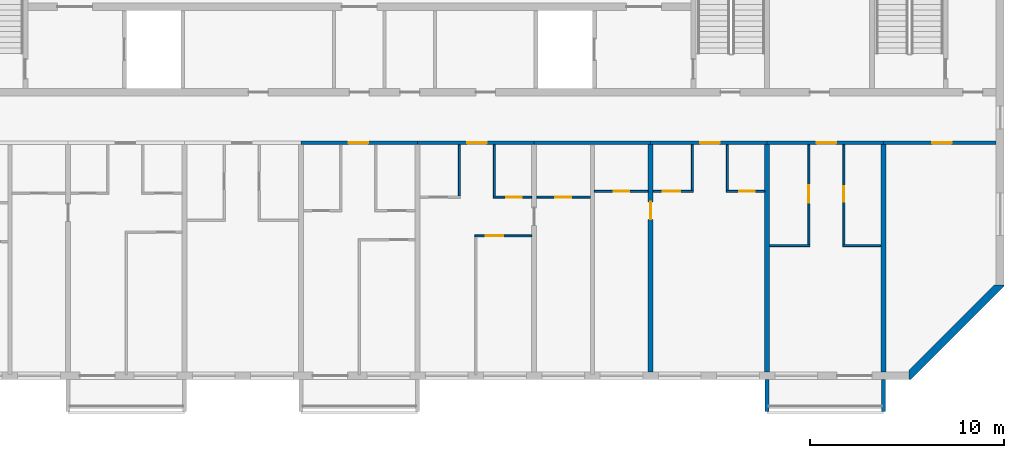
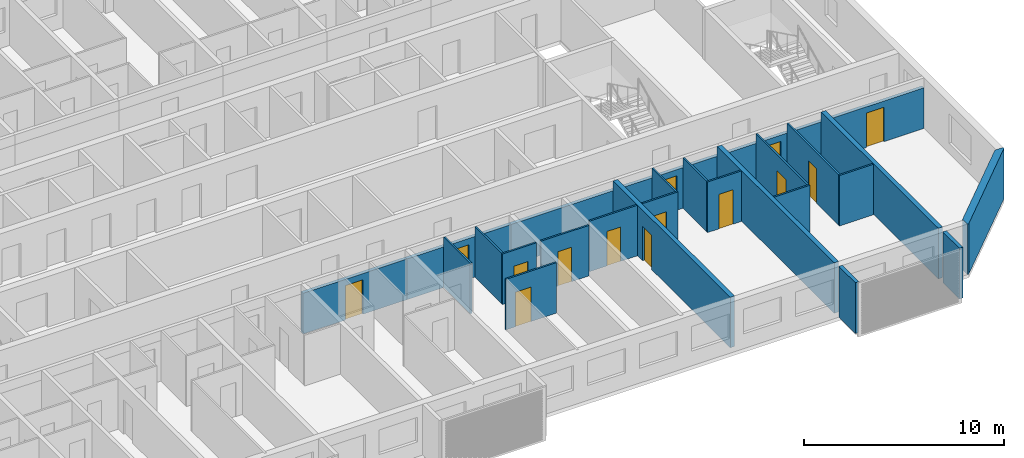
# One storey, part 5 of 27: 26 walls, 14 doors, 14 openings.
"""IFC4 building model written with IfcOpenShell, lengths in metres."""

from ifc_helpers import new_model, si_unit, direction, frame, frame_2d, origin, place, context, subcontext, project, spatial, polyline, rectangle, outline, extrude, source, transform, mapped, material, layer, layer_set, type_object, element, fill, save


model = new_model("IFC4")

# Units and contexts
model_context = context("Model", 3, precision=1e-05, world=origin(), true_north=direction((0.0, 1.0)))
body_context = subcontext(model_context, "Body", "Model", "MODEL_VIEW")
ifc_project = project(units=[si_unit("LENGTHUNIT", "METRE"), si_unit("AREAUNIT", "SQUARE_METRE"), si_unit("VOLUMEUNIT", "CUBIC_METRE"), si_unit("PLANEANGLEUNIT", "RADIAN"), si_unit("MASSUNIT", "GRAM", prefix="KILO")], contexts=[model_context])

# Site, building, storey
site_placement = place(None, origin())
site = spatial("IfcSite", under=ifc_project, at=site_placement, CompositionType="ELEMENT")
building_placement = place(site_placement, origin())
building = spatial("IfcBuilding", under=site, at=building_placement, Name="Poui Terraces", CompositionType="ELEMENT")
storey_placement = place(building_placement, frame((0.0, 0.0, 201.60009765625)))
storey = spatial("IfcBuildingStorey", under=building, at=storey_placement, Name="L56", CompositionType="ELEMENT", Elevation=201.60009765625)

# Wall, opening, door
ifc_material_1 = material(Name="Concrete 50 MPa", Category="concrete")
ifc_layer_1 = layer(ifc_material_1, 0.199951171875)
ifc_layer_set_1 = layer_set([ifc_layer_1], Name="Concrete 50 MPa")
wall_type_1 = type_object("IfcWallType", Name="CORRIDOR WALL 200 50MPa", PredefinedType="SHEAR", material=ifc_layer_set_1)
wall_1_placement = place(storey_placement, frame((48.0, 12.0, 0.0), z_axis=(0.0, 0.0, 1.0), x_axis=(1.0, 0.0, 0.0)))
wall_1 = element("IfcWall", 1, at=wall_1_placement, inside=storey, type_object=wall_type_1, Name="CORRIDOR WALL LINE B BAY 6", PredefinedType="SHEAR", context=body_context, shape_type="SweptSolid", body=[
    extrude(rectangle(XDim=6.0, YDim=0.199951171875, at=frame_2d((3.0, 0.0))), origin(), (0.0, 0.0, 1.0), 2.47998046875),
])
opening_1_placement = place(wall_1_placement, frame((2.449951171875, 0.0, 0.0)))
opening_1 = element("IfcOpeningElement", 2, at=opening_1_placement, cuts=wall_1, Name="Opening FD30S", PredefinedType="OPENING", context=body_context, shape_type="SweptSolid", body=[
    extrude(rectangle(XDim=1.0, YDim=2.10009765625, at=frame_2d((0.5, 1.050048828125))), frame((0.0, 0.10986328125, 0.0), z_axis=(0.0, -1.0, 0.0), x_axis=(1.0, 0.0, 0.0)), (0.0, 0.0, 1.0), 0.219970703125),
])
ifc_material_2 = material(Name="Steel fire door", Category="steel")
door_type_1 = type_object("IfcDoorType", Name="FLAT ENTRANCE DOOR 1000 X 2100", OperationType="NOTDEFINED", PredefinedType="DOOR", material=ifc_material_2)
door_1_placement = place(opening_1_placement, frame((1.0, 0.0, 0.0), z_axis=(0.0, 0.0, 1.0), x_axis=(-1.0, 0.0, 0.0)))
door_1 = element("IfcDoor", 3, at=door_1_placement, inside=storey, type_object=door_type_1, Name="FLAT ENTRANCE DOOR 084", OperationType="SINGLE_SWING_RIGHT", OverallHeight=2.10009765625, OverallWidth=1.0, PredefinedType="DOOR", context=body_context, shape_type="SweptSolid", body=[
    extrude(rectangle(XDim=1.0, YDim=2.10009765625, at=frame_2d((0.5, 1.050048828125))), frame((0.0, 0.02490234375, 0.0), z_axis=(0.0, -1.0, 0.0), x_axis=(1.0, 0.0, 0.0)), (0.0, 0.0, 1.0), 0.050048828125),
])
fill(opening_1, door_1)

wall_2_placement = place(storey_placement, frame((54.0, 12.0, 0.0), z_axis=(0.0, 0.0, 1.0), x_axis=(1.0, 0.0, 0.0)))
wall_2 = element("IfcWall", 4, at=wall_2_placement, inside=storey, type_object=wall_type_1, Name="CORRIDOR WALL LINE B BAY 7", PredefinedType="SHEAR", context=body_context, shape_type="SweptSolid", body=[
    extrude(rectangle(XDim=6.0, YDim=0.199951171875, at=frame_2d((3.0, 0.0))), origin(), (0.0, 0.0, 1.0), 2.47998046875),
])
opening_2_placement = place(wall_2_placement, frame((2.550048828125, 0.0, 0.0)))
opening_2 = element("IfcOpeningElement", 5, at=opening_2_placement, cuts=wall_2, Name="Opening FD30S", PredefinedType="OPENING", context=body_context, shape_type="SweptSolid", body=[
    extrude(rectangle(XDim=1.0, YDim=2.10009765625, at=frame_2d((0.5, 1.050048828125))), frame((0.0, 0.10986328125, 0.0), z_axis=(0.0, -1.0, 0.0), x_axis=(1.0, 0.0, 0.0)), (0.0, 0.0, 1.0), 0.219970703125),
])
door_2_placement = place(opening_2_placement, frame((1.0, 0.0, 0.0), z_axis=(0.0, 0.0, 1.0), x_axis=(-1.0, 0.0, 0.0)))
door_2 = element("IfcDoor", 6, at=door_2_placement, inside=storey, type_object=door_type_1, Name="FLAT ENTRANCE DOOR 089", OperationType="SINGLE_SWING_LEFT", OverallHeight=2.10009765625, OverallWidth=1.0, PredefinedType="DOOR", context=body_context, shape_type="SweptSolid", body=[
    extrude(rectangle(XDim=1.0, YDim=2.10009765625, at=frame_2d((0.5, 1.050048828125))), frame((0.0, 0.02490234375, 0.0), z_axis=(0.0, -1.0, 0.0), x_axis=(1.0, 0.0, 0.0)), (0.0, 0.0, 1.0), 0.050048828125),
])
fill(opening_2, door_2)

# Wall
wall_3_placement = place(storey_placement, frame((60.0, 12.0, 0.0), z_axis=(0.0, 0.0, 1.0), x_axis=(1.0, 0.0, 0.0)))
element("IfcWall", 7, at=wall_3_placement, inside=storey, type_object=wall_type_1, Name="CORRIDOR WALL LINE B BAY 8", PredefinedType="SHEAR", context=body_context, shape_type="SweptSolid", body=[
    extrude(rectangle(XDim=6.0, YDim=0.199951171875, at=frame_2d((3.0, 0.0))), origin(), (0.0, 0.0, 1.0), 2.47998046875),
])

# Wall, opening, door
wall_4_placement = place(storey_placement, frame((66.0, 12.0, 0.0), z_axis=(0.0, 0.0, 1.0), x_axis=(1.0, 0.0, 0.0)))
wall_4 = element("IfcWall", 8, at=wall_4_placement, inside=storey, type_object=wall_type_1, Name="CORRIDOR WALL LINE B BAY 9", PredefinedType="SHEAR", context=body_context, shape_type="SweptSolid", body=[
    extrude(rectangle(XDim=6.0, YDim=0.199951171875, at=frame_2d((3.0, 0.0))), origin(), (0.0, 0.0, 1.0), 2.47998046875),
])
opening_3_placement = place(wall_4_placement, frame((2.550048828125, 0.0, 0.0)))
opening_3 = element("IfcOpeningElement", 9, at=opening_3_placement, cuts=wall_4, Name="Opening FD30S", PredefinedType="OPENING", context=body_context, shape_type="SweptSolid", body=[
    extrude(rectangle(XDim=1.0, YDim=2.10009765625, at=frame_2d((0.5, 1.050048828125))), frame((0.0, 0.10986328125, 0.0), z_axis=(0.0, -1.0, 0.0), x_axis=(1.0, 0.0, 0.0)), (0.0, 0.0, 1.0), 0.219970703125),
])
door_3_placement = place(opening_3_placement, frame((1.0, 0.0, 0.0), z_axis=(0.0, 0.0, 1.0), x_axis=(-1.0, 0.0, 0.0)))
door_3 = element("IfcDoor", 10, at=door_3_placement, inside=storey, type_object=door_type_1, Name="FLAT ENTRANCE DOOR 096", OperationType="SINGLE_SWING_LEFT", OverallHeight=2.10009765625, OverallWidth=1.0, PredefinedType="DOOR", context=body_context, shape_type="SweptSolid", body=[
    extrude(rectangle(XDim=1.0, YDim=2.10009765625, at=frame_2d((0.5, 1.050048828125))), frame((0.0, 0.02490234375, 0.0), z_axis=(0.0, -1.0, 0.0), x_axis=(1.0, 0.0, 0.0)), (0.0, 0.0, 1.0), 0.050048828125),
])
fill(opening_3, door_3)

wall_5_placement = place(storey_placement, frame((72.0, 12.0, 0.0), z_axis=(0.0, 0.0, 1.0), x_axis=(1.0, 0.0, 0.0)))
wall_5 = element("IfcWall", 11, at=wall_5_placement, inside=storey, type_object=wall_type_1, Name="CORRIDOR WALL LINE B BAY 10", PredefinedType="SHEAR", context=body_context, shape_type="SweptSolid", body=[
    extrude(rectangle(XDim=6.0, YDim=0.199951171875, at=frame_2d((3.0, 0.0))), origin(), (0.0, 0.0, 1.0), 2.47998046875),
])
opening_4_placement = place(wall_5_placement, frame((2.550048828125, 0.0, 0.0)))
opening_4 = element("IfcOpeningElement", 12, at=opening_4_placement, cuts=wall_5, Name="Opening FD30S", PredefinedType="OPENING", context=body_context, shape_type="SweptSolid", body=[
    extrude(rectangle(XDim=1.0, YDim=2.10009765625, at=frame_2d((0.5, 1.050048828125))), frame((0.0, 0.10986328125, 0.0), z_axis=(0.0, -1.0, 0.0), x_axis=(1.0, 0.0, 0.0)), (0.0, 0.0, 1.0), 0.219970703125),
])
door_4_placement = place(opening_4_placement, frame((1.0, 0.0, 0.0), z_axis=(0.0, 0.0, 1.0), x_axis=(-1.0, 0.0, 0.0)))
door_4 = element("IfcDoor", 13, at=door_4_placement, inside=storey, type_object=door_type_1, Name="FLAT ENTRANCE DOOR 099", OperationType="SINGLE_SWING_LEFT", OverallHeight=2.10009765625, OverallWidth=1.0, PredefinedType="DOOR", context=body_context, shape_type="SweptSolid", body=[
    extrude(rectangle(XDim=1.0, YDim=2.10009765625, at=frame_2d((0.5, 1.050048828125))), frame((0.0, 0.02490234375, 0.0), z_axis=(0.0, -1.0, 0.0), x_axis=(1.0, 0.0, 0.0)), (0.0, 0.0, 1.0), 0.050048828125),
])
fill(opening_4, door_4)

wall_6_placement = place(storey_placement, frame((78.0, 12.0, 0.0), z_axis=(0.0, 0.0, 1.0), x_axis=(1.0, 0.0, 0.0)))
wall_6 = element("IfcWall", 14, at=wall_6_placement, inside=storey, type_object=wall_type_1, Name="CORRIDOR WALL LINE B BAY 11", PredefinedType="SHEAR", context=body_context, shape_type="SweptSolid", body=[
    extrude(rectangle(XDim=5.800048828125, YDim=0.199951171875, at=frame_2d((2.89990234375, 0.0))), origin(), (0.0, 0.0, 1.0), 2.47998046875),
])
opening_5_placement = place(wall_6_placement, frame((2.5, 0.0, 0.0)))
opening_5 = element("IfcOpeningElement", 15, at=opening_5_placement, cuts=wall_6, Name="Opening D100", PredefinedType="OPENING", context=body_context, shape_type="SweptSolid", body=[
    extrude(rectangle(XDim=1.0, YDim=2.10009765625, at=frame_2d((0.5, 1.050048828125))), frame((0.0, 0.10986328125, 0.0), z_axis=(0.0, -1.0, 0.0), x_axis=(1.0, 0.0, 0.0)), (0.0, 0.0, 1.0), 0.219970703125),
])
ifc_material_3 = material(Name="Solid core timber door", Category="wood")
door_type_2 = type_object("IfcDoorType", Name="ACCESSIBLE INTERNAL DOOR 1000 X 2100", OperationType="NOTDEFINED", PredefinedType="DOOR", material=ifc_material_3)
door_5_placement = place(opening_5_placement, frame((1.0, 0.0, 0.0), z_axis=(0.0, 0.0, 1.0), x_axis=(-1.0, 0.0, 0.0)))
door_5 = element("IfcDoor", 16, at=door_5_placement, inside=storey, type_object=door_type_2, Name="ACCESSIBLE INTERNAL DOOR 101", OperationType="SINGLE_SWING_RIGHT", OverallHeight=2.10009765625, OverallWidth=1.0, PredefinedType="DOOR", context=body_context, shape_type="SweptSolid", body=[
    extrude(rectangle(XDim=1.0, YDim=2.10009765625, at=frame_2d((0.5, 1.050048828125))), frame((0.0, 0.02490234375, 0.0), z_axis=(0.0, -1.0, 0.0), x_axis=(1.0, 0.0, 0.0)), (0.0, 0.0, 1.0), 0.050048828125),
])
fill(opening_5, door_5)

ifc_layer_2 = layer(ifc_material_1, 0.25)
ifc_layer_set_2 = layer_set([ifc_layer_2], Name="Concrete 50 MPa")
wall_type_2 = type_object("IfcWallType", Name="CROSS WALL 250 50MPa", PredefinedType="SHEAR", material=ifc_layer_set_2)
wall_7_placement = place(storey_placement, frame((66.0, 0.199951171875, 0.0), z_axis=(0.0, 0.0, 1.0), x_axis=(0.0, 1.0, 0.0)))
wall_7 = element("IfcWall", 17, at=wall_7_placement, inside=storey, type_object=wall_type_2, Name="CROSS WALL LINE 12 SOUTH", PredefinedType="SHEAR", context=body_context, shape_type="SweptSolid", body=[
    extrude(rectangle(XDim=11.699951171875, YDim=0.25, at=frame_2d((5.85009765625, 0.0))), origin(), (0.0, 0.0, 1.0), 3.079833984375),
])
opening_6_placement = place(wall_7_placement, frame((7.85009765625, 0.0, 0.0)))
opening_6 = element("IfcOpeningElement", 18, at=opening_6_placement, cuts=wall_7, Name="Opening D90", PredefinedType="OPENING", context=body_context, shape_type="SweptSolid", body=[
    extrude(rectangle(XDim=0.89990234375, YDim=2.10009765625, at=frame_2d((0.449951171875, 1.050048828125))), frame((0.0, 0.135009765625, 0.0), z_axis=(0.0, -1.0, 0.0), x_axis=(1.0, 0.0, 0.0)), (0.0, 0.0, 1.0), 0.27001953125),
])
door_type_3 = type_object("IfcDoorType", Name="INTERNAL DOOR 900 X 2100", OperationType="NOTDEFINED", PredefinedType="DOOR", material=ifc_material_3)
door_6_placement = place(opening_6_placement, origin())
door_6 = element("IfcDoor", 19, at=door_6_placement, inside=storey, type_object=door_type_3, Name="INTERNAL DOOR 094", OperationType="SINGLE_SWING_RIGHT", OverallHeight=2.10009765625, OverallWidth=0.89990234375, PredefinedType="DOOR", context=body_context, shape_type="SweptSolid", body=[
    extrude(rectangle(XDim=0.89990234375, YDim=2.10009765625, at=frame_2d((0.449951171875, 1.050048828125))), frame((0.0, 0.02490234375, 0.0), z_axis=(0.0, -1.0, 0.0), x_axis=(1.0, 0.0, 0.0)), (0.0, 0.0, 1.0), 0.050048828125),
])
fill(opening_6, door_6)

# Walls
for number, where, z_axis, x_axis, name in (
    (20, (72.0, 0.199951171875, 0.0), (0.0, 0.0, 1.0), (0.0, 1.0, 0.0), "CROSS WALL LINE 13 SOUTH"),
    (21, (78.0, 0.199951171875, 0.0), (0.0, 0.0, 1.0), (0.0, 1.0, 0.0), "CROSS WALL LINE 14 SOUTH"),
):
    element("IfcWall", number, at=place(storey_placement, frame(where, z_axis=z_axis, x_axis=x_axis)), inside=storey, type_object=wall_type_2, Name=name, PredefinedType="SHEAR", context=body_context, shape_type="SweptSolid", body=[
        extrude(rectangle(XDim=11.699951171875, YDim=0.25, at=frame_2d((5.85009765625, 0.0))), origin(), (0.0, 0.0, 1.0), 3.079833984375),
    ])
ifc_material_4 = material(Name="Plasterboard partition")
ifc_layer_3 = layer(ifc_material_4, 0.10009765625)
ifc_layer_set_3 = layer_set([ifc_layer_3], Name="Plasterboard partition")
wall_type_3 = type_object("IfcWallType", Name="FLAT PARTITION 100", PredefinedType="PARTITIONING", material=ifc_layer_set_3)
wall_8_placement = place(storey_placement, frame((72.135009765625, 6.699951171875, 0.0), z_axis=(0.0, 0.0, 1.0), x_axis=(1.0, 0.0, 0.0)))
element("IfcWall", 22, at=wall_8_placement, inside=storey, type_object=wall_type_3, Name="FLAT PARTITION 100", PredefinedType="PARTITIONING", context=body_context, shape_type="SweptSolid", body=[
    extrude(rectangle(XDim=2.06494140625, YDim=0.10009765625, at=frame_2d((1.032470703125, 0.0))), origin(), (0.0, 0.0, 1.0), 3.079833984375),
])
wall_9_placement = place(storey_placement, frame((75.89990234375, 6.699951171875, 0.0), z_axis=(0.0, 0.0, 1.0), x_axis=(1.0, 0.0, 0.0)))
element("IfcWall", 23, at=wall_9_placement, inside=storey, type_object=wall_type_3, Name="FLAT PARTITION 100", PredefinedType="PARTITIONING", context=body_context, shape_type="SweptSolid", body=[
    extrude(rectangle(XDim=1.965087890625, YDim=0.10009765625, at=frame_2d((0.982421875, 0.0))), origin(), (0.0, 0.0, 1.0), 3.079833984375),
])

# Wall, opening, door
wall_10_placement = place(storey_placement, frame((56.949951171875, 7.199951171875, 0.0), z_axis=(0.0, 0.0, 1.0), x_axis=(1.0, 0.0, 0.0)))
wall_10 = element("IfcWall", 24, at=wall_10_placement, inside=storey, type_object=wall_type_3, Name="FLAT PARTITION 100", PredefinedType="PARTITIONING", context=body_context, shape_type="SweptSolid", body=[
    extrude(rectangle(XDim=2.9150390625, YDim=0.10009765625, at=frame_2d((1.45751953125, 0.0))), origin(), (0.0, 0.0, 1.0), 3.079833984375),
])
opening_7_placement = place(wall_10_placement, frame((0.550048828125, 0.0, 0.0)))
opening_7 = element("IfcOpeningElement", 25, at=opening_7_placement, cuts=wall_10, Name="Opening D90", PredefinedType="OPENING", context=body_context, shape_type="SweptSolid", body=[
    extrude(rectangle(XDim=0.89990234375, YDim=2.10009765625, at=frame_2d((0.449951171875, 1.050048828125))), frame((0.0, 0.06005859375, 0.0), z_axis=(0.0, -1.0, 0.0), x_axis=(1.0, 0.0, 0.0)), (0.0, 0.0, 1.0), 0.1201171875),
])
door_7_placement = place(opening_7_placement, origin())
door_7 = element("IfcDoor", 26, at=door_7_placement, inside=storey, type_object=door_type_3, Name="INTERNAL DOOR 090", OperationType="SINGLE_SWING_RIGHT", OverallHeight=2.10009765625, OverallWidth=0.89990234375, PredefinedType="DOOR", context=body_context, shape_type="SweptSolid", body=[
    extrude(rectangle(XDim=0.89990234375, YDim=2.10009765625, at=frame_2d((0.449951171875, 1.050048828125))), frame((0.0, 0.02490234375, 0.0), z_axis=(0.0, -1.0, 0.0), x_axis=(1.0, 0.0, 0.0)), (0.0, 0.0, 1.0), 0.050048828125),
])
fill(opening_7, door_7)

wall_11_placement = place(storey_placement, frame((57.89990234375, 9.199951171875, 0.0), z_axis=(0.0, 0.0, 1.0), x_axis=(1.0, 0.0, 0.0)))
wall_11 = element("IfcWall", 27, at=wall_11_placement, inside=storey, type_object=wall_type_3, Name="FLAT PARTITION 100", PredefinedType="PARTITIONING", context=body_context, shape_type="SweptSolid", body=[
    extrude(rectangle(XDim=1.965087890625, YDim=0.10009765625, at=frame_2d((0.982421875, 0.0))), origin(), (0.0, 0.0, 1.0), 3.079833984375),
])
opening_8_placement = place(wall_11_placement, frame((0.675048828125, 0.0, 0.0)))
opening_8 = element("IfcOpeningElement", 28, at=opening_8_placement, cuts=wall_11, Name="Opening D80", PredefinedType="OPENING", context=body_context, shape_type="SweptSolid", body=[
    extrude(rectangle(XDim=0.800048828125, YDim=2.10009765625, at=frame_2d((0.39990234375, 1.050048828125))), frame((0.0, 0.06005859375, 0.0), z_axis=(0.0, -1.0, 0.0), x_axis=(1.0, 0.0, 0.0)), (0.0, 0.0, 1.0), 0.1201171875),
])
door_type_4 = type_object("IfcDoorType", Name="BATHROOM, LAUNDRY AND STORE DOOR 800 X 2100", OperationType="NOTDEFINED", PredefinedType="DOOR", material=ifc_material_3)
door_8_placement = place(opening_8_placement, origin())
door_8 = element("IfcDoor", 29, at=door_8_placement, inside=storey, type_object=door_type_4, Name="BATHROOM, LAUNDRY AND STORE DOOR 091", OperationType="SINGLE_SWING_LEFT", OverallHeight=2.10009765625, OverallWidth=0.800048828125, PredefinedType="DOOR", context=body_context, shape_type="SweptSolid", body=[
    extrude(rectangle(XDim=0.800048828125, YDim=2.10009765625, at=frame_2d((0.39990234375, 1.050048828125))), frame((0.0, 0.02490234375, 0.0), z_axis=(0.0, -1.0, 0.0), x_axis=(1.0, 0.0, 0.0)), (0.0, 0.0, 1.0), 0.050048828125),
])
fill(opening_8, door_8)

wall_12_placement = place(storey_placement, frame((60.135009765625, 9.199951171875, 0.0), z_axis=(0.0, 0.0, 1.0), x_axis=(1.0, 0.0, 0.0)))
wall_12 = element("IfcWall", 30, at=wall_12_placement, inside=storey, type_object=wall_type_3, Name="FLAT PARTITION 100", PredefinedType="PARTITIONING", context=body_context, shape_type="SweptSolid", body=[
    extrude(rectangle(XDim=2.764892578125, YDim=0.10009765625, at=frame_2d((1.38232421875, 0.0))), origin(), (0.0, 0.0, 1.0), 3.079833984375),
])
opening_9_placement = place(wall_12_placement, frame((0.965087890625, 0.0, 0.0)))
opening_9 = element("IfcOpeningElement", 31, at=opening_9_placement, cuts=wall_12, Name="Opening D80", PredefinedType="OPENING", context=body_context, shape_type="SweptSolid", body=[
    extrude(rectangle(XDim=0.800048828125, YDim=2.10009765625, at=frame_2d((0.39990234375, 1.050048828125))), frame((0.0, 0.06005859375, 0.0), z_axis=(0.0, -1.0, 0.0), x_axis=(1.0, 0.0, 0.0)), (0.0, 0.0, 1.0), 0.1201171875),
])
door_9_placement = place(opening_9_placement, origin())
door_9 = element("IfcDoor", 32, at=door_9_placement, inside=storey, type_object=door_type_4, Name="BATHROOM, LAUNDRY AND STORE DOOR 087", OperationType="SINGLE_SWING_RIGHT", OverallHeight=2.10009765625, OverallWidth=0.800048828125, PredefinedType="DOOR", context=body_context, shape_type="SweptSolid", body=[
    extrude(rectangle(XDim=0.800048828125, YDim=2.10009765625, at=frame_2d((0.39990234375, 1.050048828125))), frame((0.0, 0.02490234375, 0.0), z_axis=(0.0, -1.0, 0.0), x_axis=(1.0, 0.0, 0.0)), (0.0, 0.0, 1.0), 0.050048828125),
])
fill(opening_9, door_9)

wall_13_placement = place(storey_placement, frame((63.10009765625, 9.5, 0.0), z_axis=(0.0, 0.0, 1.0), x_axis=(1.0, 0.0, 0.0)))
wall_13 = element("IfcWall", 33, at=wall_13_placement, inside=storey, type_object=wall_type_3, Name="FLAT PARTITION 100", PredefinedType="PARTITIONING", context=body_context, shape_type="SweptSolid", body=[
    extrude(rectangle(XDim=2.764892578125, YDim=0.10009765625, at=frame_2d((1.38232421875, 0.0))), origin(), (0.0, 0.0, 1.0), 3.079833984375),
])
opening_10_placement = place(wall_13_placement, frame((1.0, 0.0, 0.0)))
opening_10 = element("IfcOpeningElement", 34, at=opening_10_placement, cuts=wall_13, Name="Opening D80", PredefinedType="OPENING", context=body_context, shape_type="SweptSolid", body=[
    extrude(rectangle(XDim=0.800048828125, YDim=2.10009765625, at=frame_2d((0.39990234375, 1.050048828125))), frame((0.0, 0.06005859375, 0.0), z_axis=(0.0, -1.0, 0.0), x_axis=(1.0, 0.0, 0.0)), (0.0, 0.0, 1.0), 0.1201171875),
])
door_10_placement = place(opening_10_placement, origin())
door_10 = element("IfcDoor", 35, at=door_10_placement, inside=storey, type_object=door_type_4, Name="BATHROOM, LAUNDRY AND STORE DOOR 093", OperationType="SINGLE_SWING_LEFT", OverallHeight=2.10009765625, OverallWidth=0.800048828125, PredefinedType="DOOR", context=body_context, shape_type="SweptSolid", body=[
    extrude(rectangle(XDim=0.800048828125, YDim=2.10009765625, at=frame_2d((0.39990234375, 1.050048828125))), frame((0.0, 0.02490234375, 0.0), z_axis=(0.0, -1.0, 0.0), x_axis=(1.0, 0.0, 0.0)), (0.0, 0.0, 1.0), 0.050048828125),
])
fill(opening_10, door_10)

wall_14_placement = place(storey_placement, frame((66.135009765625, 9.5, 0.0), z_axis=(0.0, 0.0, 1.0), x_axis=(1.0, 0.0, 0.0)))
wall_14 = element("IfcWall", 36, at=wall_14_placement, inside=storey, type_object=wall_type_3, Name="FLAT PARTITION 100", PredefinedType="PARTITIONING", context=body_context, shape_type="SweptSolid", body=[
    extrude(rectangle(XDim=2.06494140625, YDim=0.10009765625, at=frame_2d((1.032470703125, 0.0))), origin(), (0.0, 0.0, 1.0), 3.079833984375),
])
opening_11_placement = place(wall_14_placement, frame((0.489990234375, 0.0, 0.0)))
opening_11 = element("IfcOpeningElement", 37, at=opening_11_placement, cuts=wall_14, Name="Opening D90", PredefinedType="OPENING", context=body_context, shape_type="SweptSolid", body=[
    extrude(rectangle(XDim=0.89990234375, YDim=2.10009765625, at=frame_2d((0.449951171875, 1.050048828125))), frame((0.0, 0.06005859375, 0.0), z_axis=(0.0, -1.0, 0.0), x_axis=(1.0, 0.0, 0.0)), (0.0, 0.0, 1.0), 0.1201171875),
])
door_11_placement = place(opening_11_placement, origin())
door_11 = element("IfcDoor", 38, at=door_11_placement, inside=storey, type_object=door_type_3, Name="INTERNAL DOOR 095", OperationType="SINGLE_SWING_RIGHT", OverallHeight=2.10009765625, OverallWidth=0.89990234375, PredefinedType="DOOR", context=body_context, shape_type="SweptSolid", body=[
    extrude(rectangle(XDim=0.89990234375, YDim=2.10009765625, at=frame_2d((0.449951171875, 1.050048828125))), frame((0.0, 0.02490234375, 0.0), z_axis=(0.0, -1.0, 0.0), x_axis=(1.0, 0.0, 0.0)), (0.0, 0.0, 1.0), 0.050048828125),
])
fill(opening_11, door_11)

wall_15_placement = place(storey_placement, frame((69.89990234375, 9.5, 0.0), z_axis=(0.0, 0.0, 1.0), x_axis=(1.0, 0.0, 0.0)))
wall_15 = element("IfcWall", 39, at=wall_15_placement, inside=storey, type_object=wall_type_3, Name="FLAT PARTITION 100", PredefinedType="PARTITIONING", context=body_context, shape_type="SweptSolid", body=[
    extrude(rectangle(XDim=1.965087890625, YDim=0.10009765625, at=frame_2d((0.982421875, 0.0))), origin(), (0.0, 0.0, 1.0), 3.079833984375),
])
opening_12_placement = place(wall_15_placement, frame((0.675048828125, 0.0, 0.0)))
opening_12 = element("IfcOpeningElement", 40, at=opening_12_placement, cuts=wall_15, Name="Opening D80", PredefinedType="OPENING", context=body_context, shape_type="SweptSolid", body=[
    extrude(rectangle(XDim=0.800048828125, YDim=2.10009765625, at=frame_2d((0.39990234375, 1.050048828125))), frame((0.0, 0.06005859375, 0.0), z_axis=(0.0, -1.0, 0.0), x_axis=(1.0, 0.0, 0.0)), (0.0, 0.0, 1.0), 0.1201171875),
])
door_12_placement = place(opening_12_placement, origin())
door_12 = element("IfcDoor", 41, at=door_12_placement, inside=storey, type_object=door_type_4, Name="BATHROOM, LAUNDRY AND STORE DOOR 097", OperationType="SINGLE_SWING_LEFT", OverallHeight=2.10009765625, OverallWidth=0.800048828125, PredefinedType="DOOR", context=body_context, shape_type="SweptSolid", body=[
    extrude(rectangle(XDim=0.800048828125, YDim=2.10009765625, at=frame_2d((0.39990234375, 1.050048828125))), frame((0.0, 0.02490234375, 0.0), z_axis=(0.0, -1.0, 0.0), x_axis=(1.0, 0.0, 0.0)), (0.0, 0.0, 1.0), 0.050048828125),
])
fill(opening_12, door_12)

# Walls
for number, where, z_axis, x_axis, name in (
    (42, (56.14990234375, 9.25, 0.0), (0.0, 0.0, 1.0), (0.0, 1.0, 0.0), "FLAT PARTITION 100"),
    (43, (57.949951171875, 9.25, 0.0), (0.0, 0.0, 1.0), (0.0, 1.0, 0.0), "FLAT PARTITION 100"),
):
    element("IfcWall", number, at=place(storey_placement, frame(where, z_axis=z_axis, x_axis=x_axis)), inside=storey, type_object=wall_type_3, Name=name, PredefinedType="PARTITIONING", context=body_context, shape_type="SweptSolid", body=[
        extrude(rectangle(XDim=2.639892578125, YDim=0.10009765625, at=frame_2d((1.31982421875, 0.0))), origin(), (0.0, 0.0, 1.0), 3.079833984375),
    ])
for number, where, z_axis, x_axis, name in (
    (44, (68.14990234375, 9.550048828125, 0.0), (0.0, 0.0, 1.0), (0.0, 1.0, 0.0), "FLAT PARTITION 100"),
    (45, (69.949951171875, 9.550048828125, 0.0), (0.0, 0.0, 1.0), (0.0, 1.0, 0.0), "FLAT PARTITION 100"),
):
    element("IfcWall", number, at=place(storey_placement, frame(where, z_axis=z_axis, x_axis=x_axis)), inside=storey, type_object=wall_type_3, Name=name, PredefinedType="PARTITIONING", context=body_context, shape_type="SweptSolid", body=[
        extrude(rectangle(XDim=2.33984375, YDim=0.10009765625, at=frame_2d((1.169921875, 0.0))), origin(), (0.0, 0.0, 1.0), 3.079833984375),
    ])

# Wall, opening, door
wall_16_placement = place(storey_placement, frame((74.14990234375, 6.75, 0.0), z_axis=(0.0, 0.0, 1.0), x_axis=(0.0, 1.0, 0.0)))
wall_16 = element("IfcWall", 46, at=wall_16_placement, inside=storey, type_object=wall_type_3, Name="FLAT PARTITION 100", PredefinedType="PARTITIONING", context=body_context, shape_type="SweptSolid", body=[
    extrude(rectangle(XDim=5.139892578125, YDim=0.10009765625, at=frame_2d((2.56982421875, 0.0))), origin(), (0.0, 0.0, 1.0), 3.079833984375),
])
opening_13_placement = place(wall_16_placement, frame((2.14990234375, 0.0, 0.0)))
opening_13 = element("IfcOpeningElement", 47, at=opening_13_placement, cuts=wall_16, Name="Opening D90", PredefinedType="OPENING", context=body_context, shape_type="SweptSolid", body=[
    extrude(rectangle(XDim=0.89990234375, YDim=2.10009765625, at=frame_2d((0.449951171875, 1.050048828125))), frame((0.0, 0.06005859375, 0.0), z_axis=(0.0, -1.0, 0.0), x_axis=(1.0, 0.0, 0.0)), (0.0, 0.0, 1.0), 0.1201171875),
])
door_13_placement = place(opening_13_placement, origin())
door_13 = element("IfcDoor", 48, at=door_13_placement, inside=storey, type_object=door_type_3, Name="INTERNAL DOOR 098", OperationType="SINGLE_SWING_LEFT", OverallHeight=2.10009765625, OverallWidth=0.89990234375, PredefinedType="DOOR", context=body_context, shape_type="SweptSolid", body=[
    extrude(rectangle(XDim=0.89990234375, YDim=2.10009765625, at=frame_2d((0.449951171875, 1.050048828125))), frame((0.0, 0.02490234375, 0.0), z_axis=(0.0, -1.0, 0.0), x_axis=(1.0, 0.0, 0.0)), (0.0, 0.0, 1.0), 0.050048828125),
])
fill(opening_13, door_13)

wall_17_placement = place(storey_placement, frame((75.949951171875, 6.75, 0.0), z_axis=(0.0, 0.0, 1.0), x_axis=(0.0, 1.0, 0.0)))
wall_17 = element("IfcWall", 49, at=wall_17_placement, inside=storey, type_object=wall_type_3, Name="FLAT PARTITION 100", PredefinedType="PARTITIONING", context=body_context, shape_type="SweptSolid", body=[
    extrude(rectangle(XDim=5.139892578125, YDim=0.10009765625, at=frame_2d((2.56982421875, 0.0))), origin(), (0.0, 0.0, 1.0), 3.079833984375),
])
opening_14_placement = place(wall_17_placement, frame((2.199951171875, 0.0, 0.0)))
opening_14 = element("IfcOpeningElement", 50, at=opening_14_placement, cuts=wall_17, Name="Opening D80", PredefinedType="OPENING", context=body_context, shape_type="SweptSolid", body=[
    extrude(rectangle(XDim=0.800048828125, YDim=2.10009765625, at=frame_2d((0.39990234375, 1.050048828125))), frame((0.0, 0.06005859375, 0.0), z_axis=(0.0, -1.0, 0.0), x_axis=(1.0, 0.0, 0.0)), (0.0, 0.0, 1.0), 0.1201171875),
])
door_14_placement = place(opening_14_placement, frame((0.800048828125, 0.0, 0.0), z_axis=(0.0, 0.0, 1.0), x_axis=(-1.0, 0.0, 0.0)))
door_14 = element("IfcDoor", 51, at=door_14_placement, inside=storey, type_object=door_type_4, Name="BATHROOM, LAUNDRY AND STORE DOOR 100", OperationType="SINGLE_SWING_LEFT", OverallHeight=2.10009765625, OverallWidth=0.800048828125, PredefinedType="DOOR", context=body_context, shape_type="SweptSolid", body=[
    extrude(rectangle(XDim=0.800048828125, YDim=2.10009765625, at=frame_2d((0.39990234375, 1.050048828125))), frame((0.0, 0.02490234375, 0.0), z_axis=(0.0, -1.0, 0.0), x_axis=(1.0, 0.0, 0.0)), (0.0, 0.0, 1.0), 0.050048828125),
])
fill(opening_14, door_14)

# Walls
ifc_material_5 = material(Name="Precast concrete 40 MPa", Category="concrete")
ifc_layer_4 = layer(ifc_material_5, 0.39990234375)
ifc_layer_set_4 = layer_set([ifc_layer_4], Name="Precast concrete 40 MPa")
wall_type_4 = type_object("IfcWallType", Name="TERRACOTTA CLAD CHAMFER WALL 400", PredefinedType="STANDARD", material=ifc_layer_set_4)
wall_18_placement = place(storey_placement, origin())
element("IfcWall", 52, at=wall_18_placement, inside=storey, type_object=wall_type_4, Name="CHAMFER WALL CH01", PredefinedType="STANDARD", context=body_context, shape_type="SweptSolid", body=[
    extrude(outline(polyline([(79.317138671875, -0.199951171875), (79.39990234375, -0.199951171875), (84.199951171875, 4.60009765625), (84.199951171875, 4.682861328125), (83.71728515625, 4.682861328125), (79.317138671875, 0.28271484375), (79.317138671875, -0.199951171875)])), origin(), (0.0, 0.0, 1.0), 3.079833984375),
])
ifc_layer_5 = layer(ifc_material_5, 0.199951171875)
ifc_layer_set_5 = layer_set([ifc_layer_5], Name="Precast concrete 40 MPa")
wall_type_5 = type_object("IfcWallType", Name="REAR FIN 200", PredefinedType="STANDARD", material=ifc_layer_set_5)
shared_shape = source(origin(), body_context, "Body", "SweptSolid", [
    extrude(outline(polyline([(0.0, 0.0), (0.2001953125, 0.0), (0.2001953125, 1.650146484375), (0.0, 1.650146484375), (0.0, 0.0)])), origin(), (0.0, 0.0, 1.0), 3.099853515625),
])
for number, where, name in (
    (53, (71.89990234375, -1.85009765625, 0.0), "REAR FIN"),
    (54, (77.89990234375, -1.85009765625, 0.0), "REAR FIN"),
):
    element("IfcWall", number, at=place(storey_placement, frame(where)), inside=storey, type_object=wall_type_5, Name=name, PredefinedType="STANDARD", context=body_context, shape_type="MappedRepresentation", body=[
        mapped(shared_shape, transform((0.0, 0.0, 0.0))),
    ])

save(model, "model.ifc")
